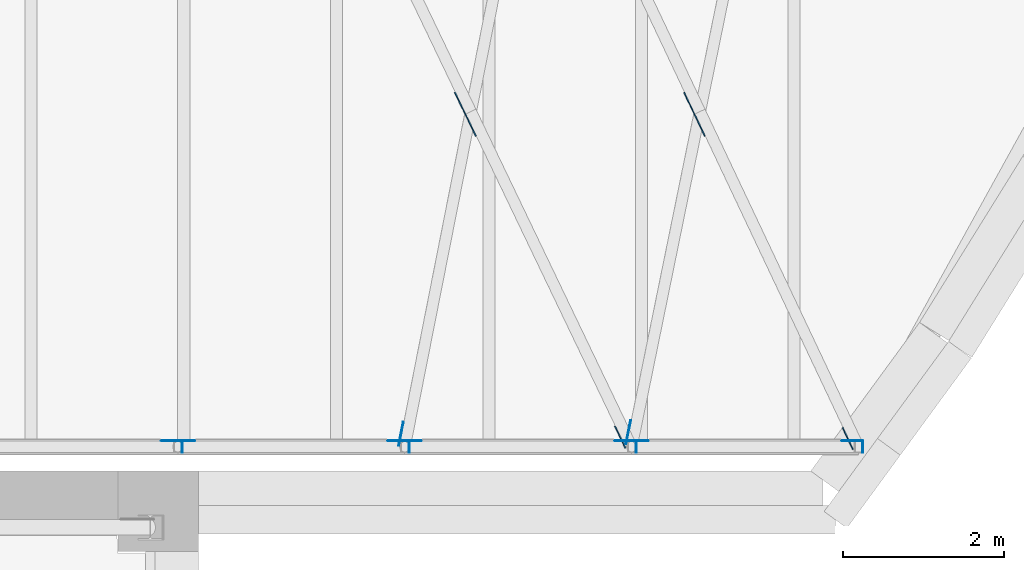
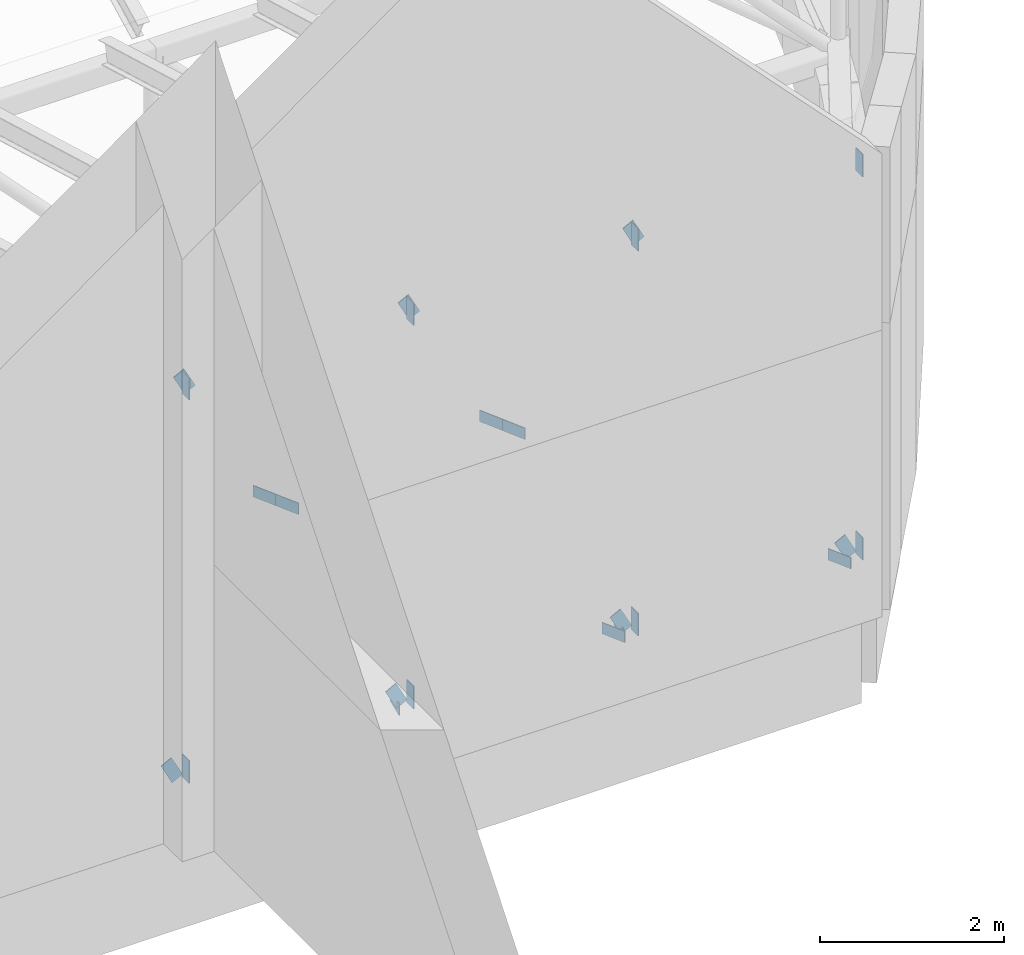
# One storey, part 46 of 68: 23 discrete accessories.
"""IFC4 building model written with IfcOpenShell, lengths in metres."""

from ifc_helpers import new_model, si_unit, direction, frame, origin, origin_2d, place, context, subcontext, project, spatial, rectangle, extrude, material, material_profile, profile_set, type_object, element, save


model = new_model("IFC4")

# Units and contexts
model_context = context("Model", 3, precision=1e-05, world=origin(), true_north=direction((0.0, 1.0)))
body_context = subcontext(model_context, "Body", "Model", "MODEL_VIEW")
ifc_project = project(units=[si_unit("LENGTHUNIT", "METRE"), si_unit("AREAUNIT", "SQUARE_METRE"), si_unit("VOLUMEUNIT", "CUBIC_METRE"), si_unit("PLANEANGLEUNIT", "RADIAN"), si_unit("MASSUNIT", "GRAM", prefix="KILO")], contexts=[model_context])

# Site, building, storey
site_placement = place(None, origin())
site = spatial("IfcSite", under=ifc_project, at=site_placement, CompositionType="ELEMENT")
building_placement = place(site_placement, origin())
building = spatial("IfcBuilding", under=site, at=building_placement, Name="Larchfold Concert Hall", CompositionType="ELEMENT")
storey_placement = place(building_placement, frame((0.0, 0.0, 28.800048828125)))
storey = spatial("IfcBuildingStorey", under=building, at=storey_placement, Name="L06", CompositionType="ELEMENT", Elevation=28.800048828125)

# Discrete accessories
ifc_material = material(Name="Steel S355 galvanised bracket", Category="steel")
ifc_material_profile = material_profile(ifc_material, rectangle(XDim=0.011962890625, YDim=0.14990234375, at=origin_2d()))
ifc_profile_set = profile_set([ifc_material_profile], Name="Steel S355 galvanised bracket")
discrete_accessory_type = type_object("IfcDiscreteAccessoryType", Name="Gusset plate 12x150", PredefinedType="BRACKET", material=ifc_profile_set)
for number, where, z_axis, x_axis, name in (
    (1, (51.099365234375, 60.0, 5.39990234375), (0.0, 0.0, -1.0), (1.0, 0.0, 0.0), "Gusset plate GP0141"),
    (2, (51.099365234375, 60.0, 0.320068359375), (0.0, 0.0, -1.0), (1.0, 0.0, 0.0), "Gusset plate GP0142"),
    (3, (53.91357421875, 60.0, 5.39990234375), (0.0, 0.0, -1.0), (1.0, 0.0, 0.0), "Gusset plate GP0143"),
    (4, (53.91357421875, 60.0, 0.320068359375), (0.0, 0.0, -1.0), (1.0, 0.0, 0.0), "Gusset plate GP0144"),
    (5, (56.72802734375, 60.0, 5.39990234375), (0.0, 0.0, -1.0), (1.0, 0.0, 0.0), "Gusset plate GP0145"),
    (6, (56.72802734375, 60.0, 0.300048828125), (0.0, 0.0, -1.0), (1.0, 0.0, 0.0), "Gusset plate GP0146"),
    (7, (59.54248046875, 60.0, 5.39990234375), (0.0, 0.0, -1.0), (1.0, 0.0, 0.0), "Gusset plate GP0147"),
    (8, (59.54248046875, 60.0, 0.320068359375), (0.0, 0.0, -1.0), (1.0, 0.0, 0.0), "Gusset plate GP0148"),
):
    element("IfcDiscreteAccessory", number, at=place(storey_placement, frame(where, z_axis=z_axis, x_axis=x_axis)), inside=storey, type_object=discrete_accessory_type, Name=name, PredefinedType="BRACKET", context=body_context, shape_type="SweptSolid", body=[
        extrude(rectangle(XDim=0.011962890625, YDim=0.14990234375, at=origin_2d()), origin(), (0.0, 0.0, 1.0), 0.300048828125),
    ])
for number, where, z_axis, x_axis, name in (
    (9, (50.8955078125, 60.075927734375, 0.28369140625), (0.462454703444, 0.0, -0.886642908539), (0.0, 1.0, 0.0), "Gusset plate GP0166"),
    (10, (51.052734375, 60.075927734375, 5.382080078125), (0.462454703444, 0.0, -0.886642908539), (0.0, 1.0, 0.0), "Gusset plate GP0167"),
    (11, (53.709716796875, 60.075927734375, 0.28369140625), (0.462454703444, 0.0, -0.886642908539), (0.0, 1.0, 0.0), "Gusset plate GP0168"),
    (12, (53.866943359375, 60.075927734375, 5.382080078125), (0.462454703444, 0.0, -0.886642908539), (0.0, 1.0, 0.0), "Gusset plate GP0169"),
    (13, (56.524169921875, 60.075927734375, 0.28369140625), (0.462454703444, 0.0, -0.886642908539), (0.0, 1.0, 0.0), "Gusset plate GP0170"),
    (14, (56.681396484375, 60.075927734375, 5.382080078125), (0.462454703444, 0.0, -0.886642908539), (0.0, 1.0, 0.0), "Gusset plate GP0171"),
    (15, (59.338623046875, 60.075927734375, 0.28369140625), (0.462454703444, 0.0, -0.886642908539), (0.0, 1.0, 0.0), "Gusset plate GP0172"),
):
    element("IfcDiscreteAccessory", number, at=place(storey_placement, frame(where, z_axis=z_axis, x_axis=x_axis)), inside=storey, type_object=discrete_accessory_type, Name=name, PredefinedType="BRACKET", context=body_context, shape_type="SweptSolid", body=[
        extrude(rectangle(XDim=0.011962890625, YDim=0.14990234375, at=origin_2d()), origin(), (0.0, 0.0, 1.0), 0.2998046875),
    ])
for number, where, z_axis, x_axis, name in (
    (16, (56.601806640625, 60.03466796875, 0.0), (0.200183211319, 0.979758481416, 0.0), (-0.979758481416, 0.200183211319, 0.0), "Gusset plate GP0565"),
    (17, (59.41796875, 59.967529296875, 0.0), (-0.427246580432, 0.904135144494, 0.0), (-0.904135144494, -0.427246580432, 0.0), "Gusset plate GP0567"),
    (18, (57.580078125, 63.855224609375, 0.0), (-0.427246580432, 0.904135144494, 0.0), (-0.904135144494, -0.427246580432, 0.0), "Gusset plate GP0568"),
    (19, (57.451904296875, 64.12646484375, 0.0), (-0.427246580432, 0.904135144494, 0.0), (-0.904135144494, -0.427246580432, 0.0), "Gusset plate GP0569"),
    (20, (53.783203125, 60.0146484375, 0.0), (0.193612426683, 0.98107809487, 0.0), (-0.98107809487, 0.193612426683, 0.0), "Gusset plate GP0571"),
    (21, (56.594970703125, 59.9853515625, 0.0), (-0.432175339096, 0.901789596457, 0.0), (-0.901789596457, -0.432175339096, 0.0), "Gusset plate GP0573"),
    (22, (54.73974609375, 63.855712890625, 0.0), (-0.432175339096, 0.901789596457, 0.0), (-0.901789596457, -0.432175339096, 0.0), "Gusset plate GP0574"),
    (23, (54.610107421875, 64.126220703125, 0.0), (-0.432175339096, 0.901789596457, 0.0), (-0.901789596457, -0.432175339096, 0.0), "Gusset plate GP0575"),
):
    element("IfcDiscreteAccessory", number, at=place(storey_placement, frame(where, z_axis=z_axis, x_axis=x_axis)), inside=storey, type_object=discrete_accessory_type, Name=name, PredefinedType="BRACKET", context=body_context, shape_type="SweptSolid", body=[
        extrude(rectangle(XDim=0.011962890625, YDim=0.14990234375, at=origin_2d()), origin(), (0.0, 0.0, 1.0), 0.300048828125),
    ])

save(model, "model.ifc")
